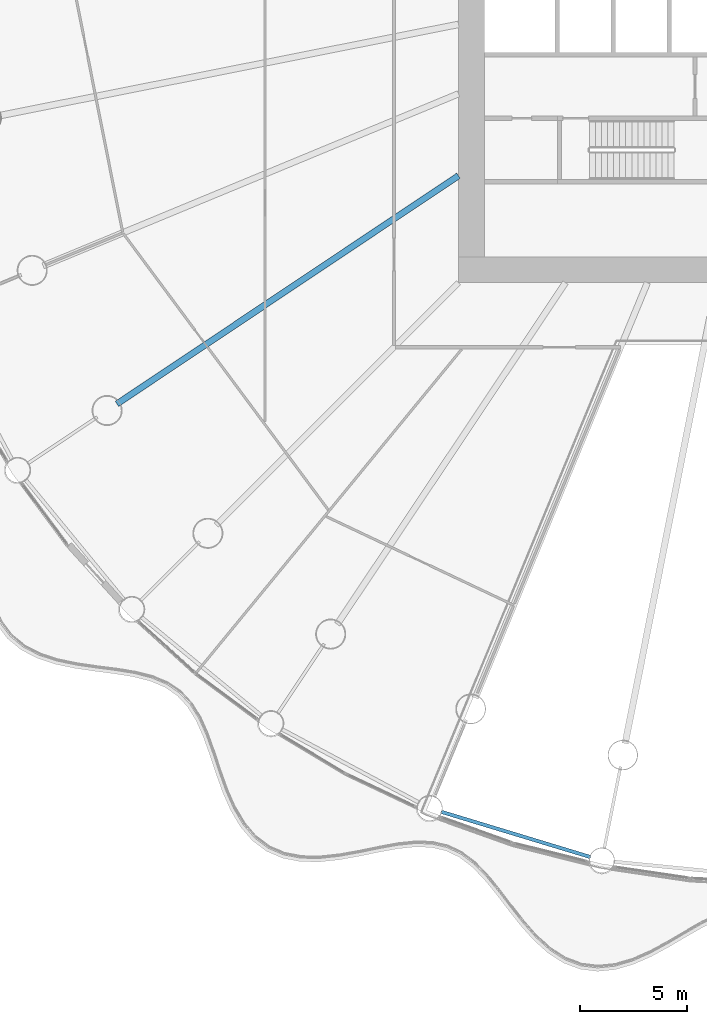
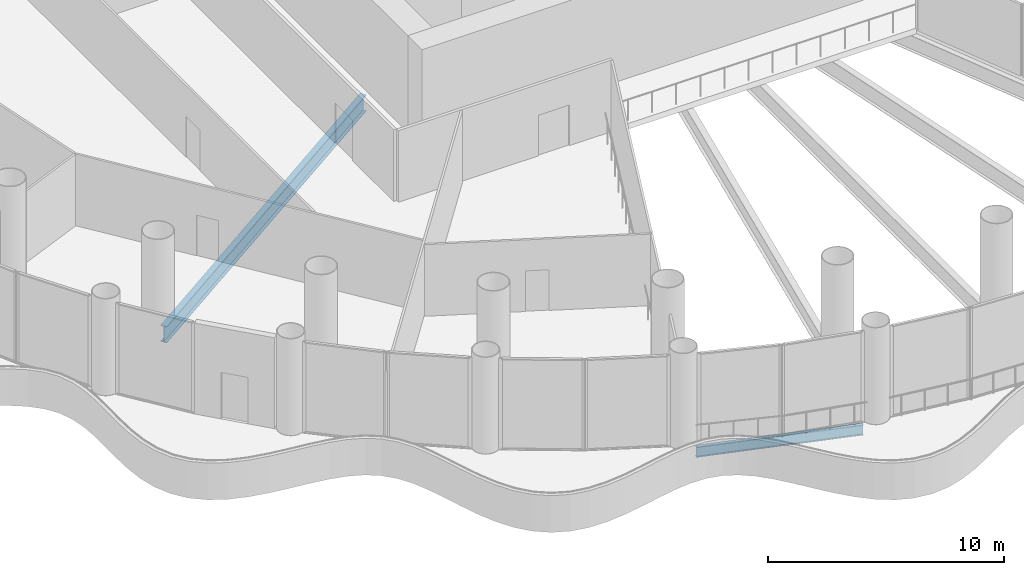
# One storey, part 4 of 36: 2 beams.
"""IFC4 building model written with IfcOpenShell, lengths in metres."""

from ifc_helpers import new_model, si_unit, direction, frame, origin, origin_2d, place, context, subcontext, project, spatial, i_section, extrude, material, material_profile, profile_set, type_object, element, save


model = new_model("IFC4")

# Units and contexts
model_context = context("Model", 3, precision=1e-05, world=origin(), true_north=direction((0.0, 1.0)))
body_context = subcontext(model_context, "Body", "Model", "MODEL_VIEW")
ifc_project = project(units=[si_unit("LENGTHUNIT", "METRE"), si_unit("AREAUNIT", "SQUARE_METRE"), si_unit("VOLUMEUNIT", "CUBIC_METRE"), si_unit("PLANEANGLEUNIT", "RADIAN"), si_unit("MASSUNIT", "GRAM", prefix="KILO")], contexts=[model_context])

# Site, building, storey
site_placement = place(None, origin())
site = spatial("IfcSite", under=ifc_project, at=site_placement, CompositionType="ELEMENT")
building_placement = place(site_placement, origin())
building = spatial("IfcBuilding", under=site, at=building_placement, Name="Corvane Civic Tower", CompositionType="ELEMENT")
storey_placement = place(building_placement, frame((0.0, 0.0, 17.0)))
storey = spatial("IfcBuildingStorey", under=building, at=storey_placement, Name="L03", CompositionType="ELEMENT", Elevation=17.0)

# Beams
ifc_material_1 = material(Name="Steel ASTM A992 Gr 50", Category="steel")
ifc_material_profile_1 = material_profile(ifc_material_1, i_section(OverallWidth=0.165771484375, OverallDepth=0.5283203125, WebThickness=0.009765625, FlangeThickness=0.013671875, at=origin_2d()), Name="W21X50")
ifc_profile_set_1 = profile_set([ifc_material_profile_1], Name="Steel ASTM A992 Gr 50")
beam_type_1 = type_object("IfcBeamType", Name="EDGE BEAM W21X50", PredefinedType="BEAM", material=ifc_profile_set_1)
beam_1_placement = place(storey_placement, frame((-8.856689453125, -41.719970703125, -0.564208984375), z_axis=(-0.956938225664, 0.290291633127, 0.0), x_axis=(-0.290291633127, -0.956938225664, 0.0)))
element("IfcBeam", 1, at=beam_1_placement, inside=storey, type_object=beam_type_1, Name="BM-L03-E18", PredefinedType="BEAM", context=body_context, shape_type="SweptSolid", body=[
    extrude(i_section(OverallWidth=0.165771484375, OverallDepth=0.5283203125, WebThickness=0.009765625, FlangeThickness=0.013671875, at=origin_2d()), origin(), (0.0, 0.0, 1.0), 7.2705078125),
])
ifc_material_2 = material(Name="Steel ASTM A992 Gr 50", Category="steel")
ifc_material_profile_2 = material_profile(ifc_material_2, i_section(OverallWidth=0.2919921875, OverallDepth=0.845703125, WebThickness=0.015380859375, FlangeThickness=0.0244140625, at=origin_2d()), Name="W33X141")
ifc_profile_set_2 = profile_set([ifc_material_profile_2], Name="Steel ASTM A992 Gr 50")
beam_type_2 = type_object("IfcBeamType", Name="FLOOR GIRDER W33X141", PredefinedType="BEAM", material=ifc_profile_set_2)
beam_2_placement = place(storey_placement, frame((-15.0, -10.022705078125, -0.722900390625), z_axis=(-0.831471985418, -0.555566681385, 0.0), x_axis=(0.555566681385, -0.831471985418, 0.0)))
element("IfcBeam", 2, at=beam_2_placement, inside=storey, type_object=beam_type_2, Name="BM-L03-G22", PredefinedType="BEAM", context=body_context, shape_type="SweptSolid", body=[
    extrude(i_section(OverallWidth=0.2919921875, OverallDepth=0.845703125, WebThickness=0.015380859375, FlangeThickness=0.0244140625, at=origin_2d()), origin(), (0.0, 0.0, 1.0), 19.109619140625),
])

save(model, "model.ifc")
